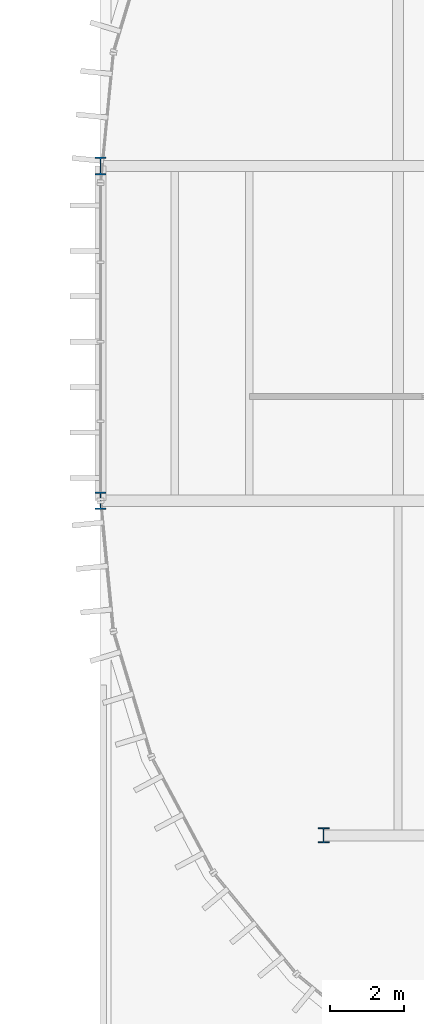
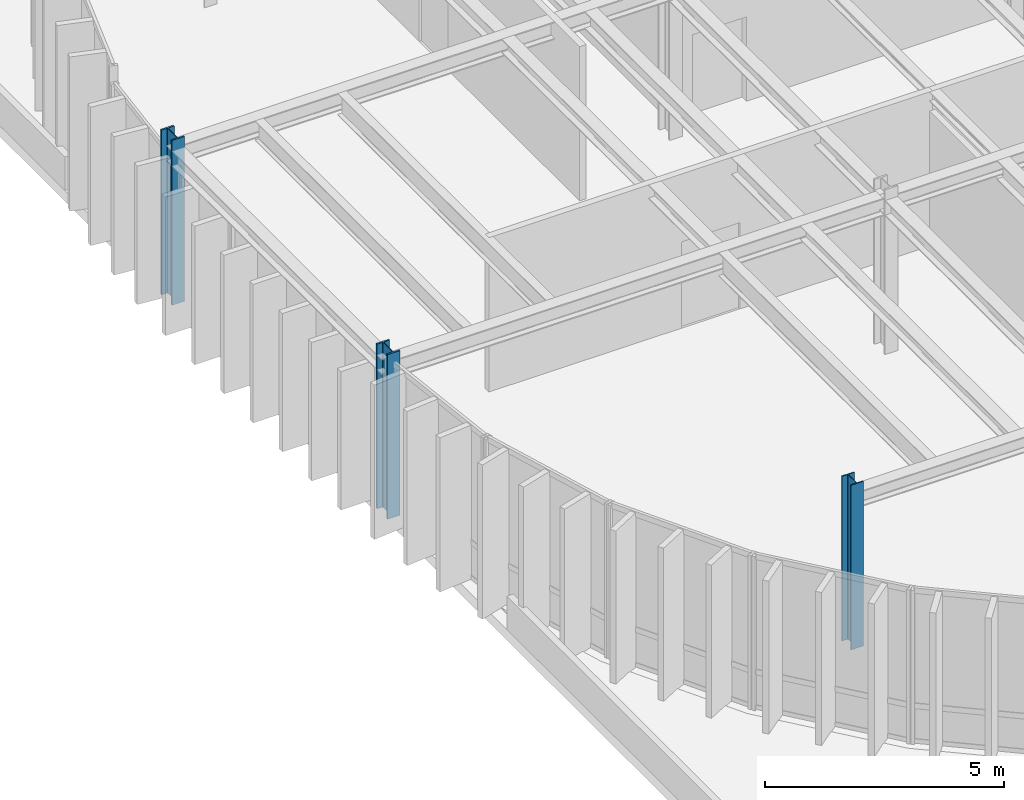
# One storey, part 1 of 69: 3 columns.
"""IFC4 building model written with IfcOpenShell, lengths in metres."""

from ifc_helpers import new_model, si_unit, direction, frame, origin, origin_2d, place, context, subcontext, project, spatial, i_section, extrude, material, material_profile, profile_set, type_object, element, save


model = new_model("IFC4")

# Units and contexts
model_context = context("Model", 3, precision=1e-05, world=origin(), true_north=direction((0.0, 1.0)))
body_context = subcontext(model_context, "Body", "Model", "MODEL_VIEW")
ifc_project = project(units=[si_unit("LENGTHUNIT", "METRE"), si_unit("AREAUNIT", "SQUARE_METRE"), si_unit("VOLUMEUNIT", "CUBIC_METRE"), si_unit("PLANEANGLEUNIT", "RADIAN"), si_unit("MASSUNIT", "GRAM", prefix="KILO")], contexts=[model_context])

# Site, building, storey
site_placement = place(None, origin())
site = spatial("IfcSite", under=ifc_project, at=site_placement, CompositionType="ELEMENT")
building_placement = place(site_placement, origin())
building = spatial("IfcBuilding", under=site, at=building_placement, Name="Montealbar Specialist Clinic", CompositionType="ELEMENT")
storey_placement = place(building_placement, frame((0.0, 0.0, 9.60009765625)))
storey = spatial("IfcBuildingStorey", under=building, at=storey_placement, Name="L02", CompositionType="ELEMENT", Elevation=9.60009765625)

# Columns
ifc_material = material(Name="Steel S355", Category="steel")
ifc_material_profile_1 = material_profile(ifc_material, i_section(OverallWidth=0.306884765625, OverallDepth=0.47802734375, WebThickness=0.02099609375, FlangeThickness=0.0400390625, FilletRadius=0.027099609375, at=origin_2d()), Name="HEM 450", Category="steel")
ifc_profile_set_1 = profile_set([ifc_material_profile_1], Name="Steel S355")
column_type_1 = type_object("IfcColumnType", Name="COL-S-L01-MEGA-EXT", PredefinedType="COLUMN", material=ifc_profile_set_1)
for number, where, z_axis, x_axis, name in (
    (1, (54.0, 18.0, 0.0), (0.0, 0.0, 1.0), (1.0, 0.0, 0.0), "Column 7/C L02"),
    (2, (54.0, 27.0, 0.0), (0.0, 0.0, 1.0), (1.0, 0.0, 0.0), "Column 7/D L02"),
):
    element("IfcColumn", number, at=place(storey_placement, frame(where, z_axis=z_axis, x_axis=x_axis)), inside=storey, type_object=column_type_1, Name=name, PredefinedType="COLUMN", context=body_context, shape_type="SweptSolid", body=[
        extrude(i_section(OverallWidth=0.306884765625, OverallDepth=0.47802734375, WebThickness=0.02099609375, FlangeThickness=0.0400390625, FilletRadius=0.027099609375, at=origin_2d()), origin(), (0.0, 0.0, 1.0), 4.199951171875),
    ])
ifc_material_profile_2 = material_profile(ifc_material, i_section(OverallWidth=0.300048828125, OverallDepth=0.39990234375, WebThickness=0.013427734375, FlangeThickness=0.02392578125, FilletRadius=0.027099609375, at=origin_2d()), Name="HEB 400", Category="steel")
ifc_profile_set_2 = profile_set([ifc_material_profile_2], Name="Steel S355")
column_type_2 = type_object("IfcColumnType", Name="COL-S-L02-STD", PredefinedType="COLUMN", material=ifc_profile_set_2)
column_placement = place(storey_placement, frame((60.0, 9.0, 0.0), z_axis=(0.0, 0.0, 1.0), x_axis=(1.0, 0.0, 0.0)))
element("IfcColumn", 3, at=column_placement, inside=storey, type_object=column_type_2, Name="Column 8/B L02", PredefinedType="COLUMN", context=body_context, shape_type="SweptSolid", body=[
    extrude(i_section(OverallWidth=0.300048828125, OverallDepth=0.39990234375, WebThickness=0.013427734375, FlangeThickness=0.02392578125, FilletRadius=0.027099609375, at=origin_2d()), origin(), (0.0, 0.0, 1.0), 4.199951171875),
])

save(model, "model.ifc")
